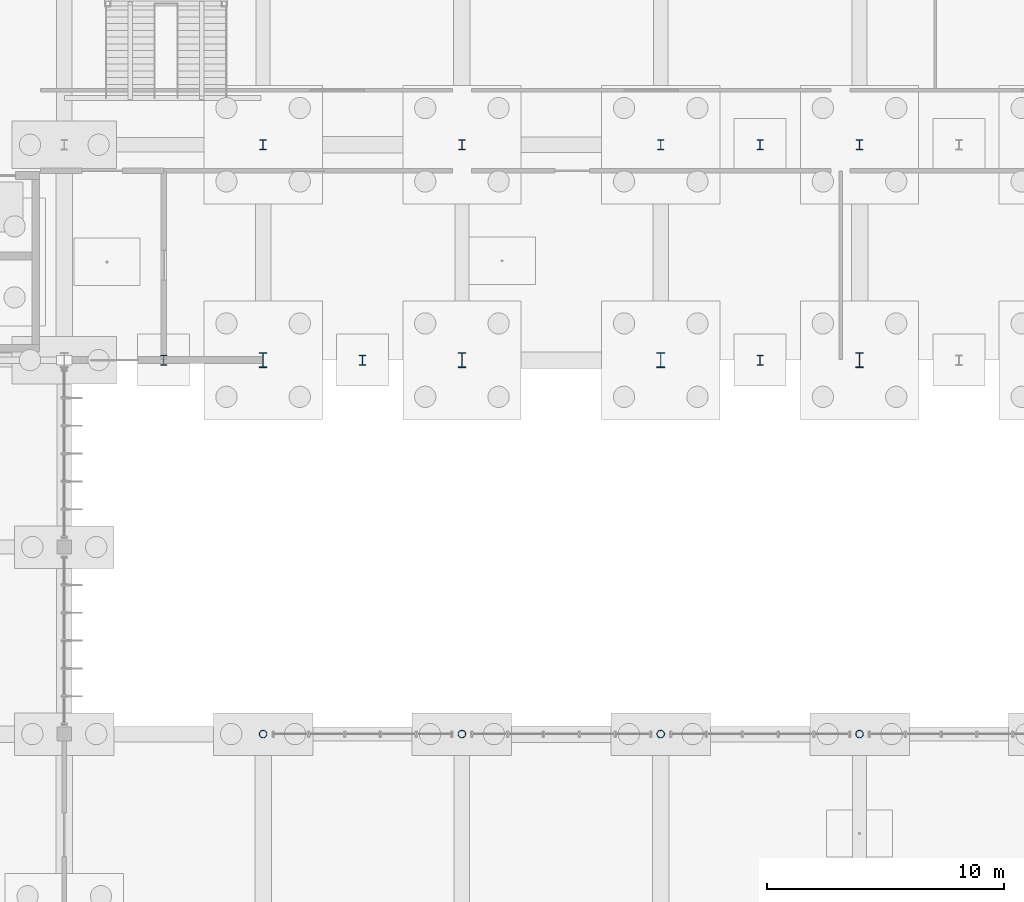
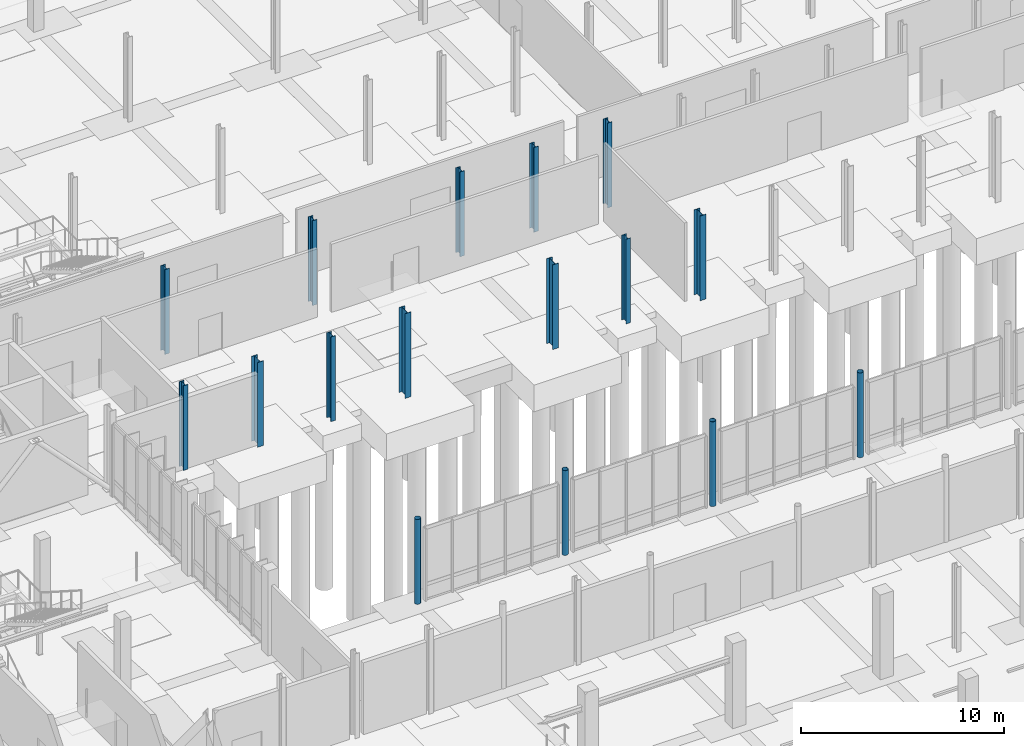
# One storey, part 17 of 119: 16 columns.
"""IFC4 building model written with IfcOpenShell, lengths in metres."""

from ifc_helpers import new_model, si_unit, derived_unit, direction, frame, origin, origin_2d, place, context, subcontext, project, spatial, hollow_circle, i_section, extrude, material, material_profile, profile_set, type_object, element, save


model = new_model("IFC4")

# Units and contexts
model_context = context("Model", 3, precision=1e-05, world=origin(), true_north=direction((0.0, 1.0)))
body_context = subcontext(model_context, "Body", "Model", "MODEL_VIEW")
ifc_project = project(units=[si_unit("LENGTHUNIT", "METRE"), si_unit("AREAUNIT", "SQUARE_METRE"), si_unit("VOLUMEUNIT", "CUBIC_METRE"), si_unit("PLANEANGLEUNIT", "RADIAN"), si_unit("MASSUNIT", "GRAM", prefix="KILO"), derived_unit("THERMALTRANSMITTANCEUNIT", [(si_unit("MASSUNIT", "GRAM", prefix="KILO"), 1), (si_unit("TIMEUNIT", "SECOND"), -3), (si_unit("THERMODYNAMICTEMPERATUREUNIT", "KELVIN"), -1)])], contexts=[model_context])

# Site, building, storey
site_placement = place(None, origin())
site = spatial("IfcSite", under=ifc_project, at=site_placement, CompositionType="ELEMENT")
building_placement = place(site_placement, origin())
building = spatial("IfcBuilding", under=site, at=building_placement, Name="Makaiwela Harbour Ferry Terminal", CompositionType="ELEMENT")
storey_placement = place(building_placement, origin())
storey = spatial("IfcBuildingStorey", under=building, at=storey_placement, Name="L00", CompositionType="ELEMENT", Elevation=0.0)

# Columns
ifc_material_1 = material(Name="Steel ASTM A500 Grade C", Category="steel")
ifc_material_profile_1 = material_profile(ifc_material_1, hollow_circle(Radius=0.162109375, WallThickness=0.0126953125, at=origin_2d()), Name="PIPE12XS")
ifc_profile_set_1 = profile_set([ifc_material_profile_1], Name="Steel ASTM A500 Grade C")
column_type_1 = type_object("IfcColumnType", Name="STR-COL-PIPE12", PredefinedType="COLUMN", material=ifc_profile_set_1)
for number, where, z_axis, x_axis, name in (
    (1, (79.800048828125, 33.60009765625, 0.0), (0.0, 0.0, 1.0), (1.0, 0.0, 0.0), "Structural Column C-07"),
    (2, (88.199951171875, 33.60009765625, 0.0), (0.0, 0.0, 1.0), (1.0, 0.0, 0.0), "Structural Column C-07"),
    (3, (96.60009765625, 33.60009765625, 0.0), (0.0, 0.0, 1.0), (1.0, 0.0, 0.0), "Structural Column C-07"),
    (4, (105.0, 33.60009765625, 0.0), (0.0, 0.0, 1.0), (1.0, 0.0, 0.0), "Structural Column C-07"),
):
    element("IfcColumn", number, at=place(storey_placement, frame(where, z_axis=z_axis, x_axis=x_axis)), inside=storey, type_object=column_type_1, Name=name, PredefinedType="COLUMN", context=body_context, shape_type="SweptSolid", body=[
        extrude(hollow_circle(Radius=0.162109375, WallThickness=0.0126953125, at=origin_2d()), origin(), (0.0, 0.0, 1.0), 5.10009765625),
    ])
ifc_material_2 = material(Name="Steel ASTM A992 Grade 50", Category="steel")
ifc_material_profile_2 = material_profile(ifc_material_2, i_section(OverallWidth=0.264892578125, OverallDepth=0.430908203125, WebThickness=0.014892578125, FlangeThickness=0.02490234375, at=origin_2d()), Name="W16X100")
ifc_profile_set_2 = profile_set([ifc_material_profile_2], Name="Steel ASTM A992 Grade 50")
column_type_2 = type_object("IfcColumnType", Name="STR-COL-W16X100", PredefinedType="COLUMN", material=ifc_profile_set_2)
for number, where, z_axis, x_axis, name in (
    (5, (79.800048828125, 58.5, 0.0), (0.0, 0.0, 1.0), (1.0, 0.0, 0.0), "Structural Column C-03"),
    (6, (88.199951171875, 58.5, 0.0), (0.0, 0.0, 1.0), (1.0, 0.0, 0.0), "Structural Column C-03"),
    (7, (96.60009765625, 58.5, 0.0), (0.0, 0.0, 1.0), (1.0, 0.0, 0.0), "Structural Column C-03"),
    (8, (105.0, 58.5, 0.0), (0.0, 0.0, 1.0), (1.0, 0.0, 0.0), "Structural Column C-03"),
    (9, (75.60009765625, 49.39990234375, 0.0), (0.0, 0.0, 1.0), (1.0, 0.0, 0.0), "Structural Column C-03"),
    (10, (84.0, 49.39990234375, 0.0), (0.0, 0.0, 1.0), (1.0, 0.0, 0.0), "Structural Column C-03"),
    (11, (100.800048828125, 49.39990234375, 0.0), (0.0, 0.0, 1.0), (1.0, 0.0, 0.0), "Structural Column C-03"),
    (12, (100.800048828125, 58.5, 0.0), (0.0, 0.0, 1.0), (1.0, 0.0, 0.0), "Structural Column C-03"),
):
    element("IfcColumn", number, at=place(storey_placement, frame(where, z_axis=z_axis, x_axis=x_axis)), inside=storey, type_object=column_type_2, Name=name, PredefinedType="COLUMN", context=body_context, shape_type="SweptSolid", body=[
        extrude(i_section(OverallWidth=0.264892578125, OverallDepth=0.430908203125, WebThickness=0.014892578125, FlangeThickness=0.02490234375, at=origin_2d()), origin(), (0.0, 0.0, 1.0), 5.10009765625),
    ])
ifc_material_profile_3 = material_profile(ifc_material_2, i_section(OverallWidth=0.327880859375, OverallDepth=0.6279296875, WebThickness=0.0166015625, FlangeThickness=0.027587890625, at=origin_2d()), Name="W24X146")
ifc_profile_set_3 = profile_set([ifc_material_profile_3], Name="Steel ASTM A992 Grade 50")
column_type_3 = type_object("IfcColumnType", Name="STR-COL-W24X146", PredefinedType="COLUMN", material=ifc_profile_set_3)
for number, where, z_axis, x_axis, name in (
    (13, (79.800048828125, 49.39990234375, 0.0), (0.0, 0.0, 1.0), (1.0, 0.0, 0.0), "Structural Column C-01"),
    (14, (88.199951171875, 49.39990234375, 0.0), (0.0, 0.0, 1.0), (1.0, 0.0, 0.0), "Structural Column C-01"),
    (15, (96.60009765625, 49.39990234375, 0.0), (0.0, 0.0, 1.0), (1.0, 0.0, 0.0), "Structural Column C-01"),
    (16, (105.0, 49.39990234375, 0.0), (0.0, 0.0, 1.0), (1.0, 0.0, 0.0), "Structural Column C-01"),
):
    element("IfcColumn", number, at=place(storey_placement, frame(where, z_axis=z_axis, x_axis=x_axis)), inside=storey, type_object=column_type_3, Name=name, PredefinedType="COLUMN", context=body_context, shape_type="SweptSolid", body=[
        extrude(i_section(OverallWidth=0.327880859375, OverallDepth=0.6279296875, WebThickness=0.0166015625, FlangeThickness=0.027587890625, at=origin_2d()), origin(), (0.0, 0.0, 1.0), 5.10009765625),
    ])

save(model, "model.ifc")
